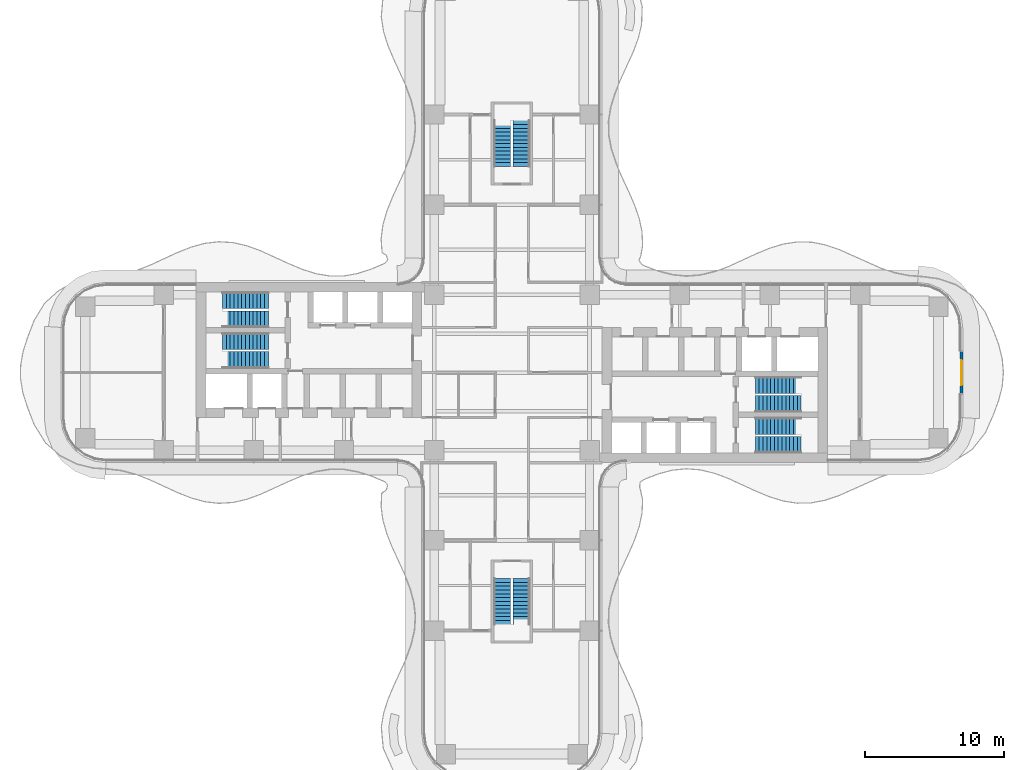
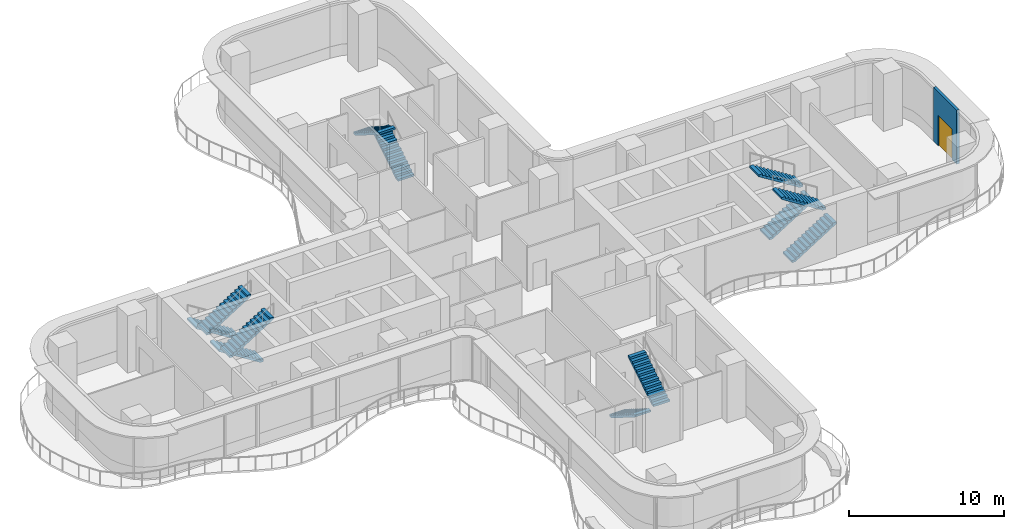
# One storey, part 20 of 22: 12 stair flights, 1 door, 1 wall, 1 opening, 6 elements without a shape of their own.
"""IFC4 building model written with IfcOpenShell, lengths in metres."""

from ifc_helpers import new_model, si_unit, direction, frame, frame_2d, origin, place, context, subcontext, project, spatial, polyline, rectangle, outline, extrude, source, transform, mapped, material, layer, layer_set, type_object, element, fill, aggregate, save


model = new_model("IFC4")

# Units and contexts
model_context = context("Model", 3, precision=1e-05, world=origin(), true_north=direction((0.0, 1.0)))
body_context = subcontext(model_context, "Body", "Model", "MODEL_VIEW")
ifc_project = project(units=[si_unit("LENGTHUNIT", "METRE"), si_unit("AREAUNIT", "SQUARE_METRE"), si_unit("VOLUMEUNIT", "CUBIC_METRE"), si_unit("PLANEANGLEUNIT", "RADIAN"), si_unit("MASSUNIT", "GRAM", prefix="KILO")], contexts=[model_context])

# Site, building, storey
site_placement = place(None, origin())
site = spatial("IfcSite", under=ifc_project, at=site_placement, CompositionType="ELEMENT")
building_placement = place(site_placement, origin())
building = spatial("IfcBuilding", under=site, at=building_placement, Name="Trellis Farm Tower", CompositionType="ELEMENT")
storey_placement = place(building_placement, frame((0.0, 0.0, 43.0)))
storey = spatial("IfcBuildingStorey", under=building, at=storey_placement, Name="L08", CompositionType="ELEMENT", Elevation=43.0)

# Wall, opening, door
ifc_material_1 = material(Name="Sandstone faced insulated wall", Category="masonry")
ifc_layer = layer(ifc_material_1, 0.199951171875)
ifc_layer_set = layer_set([ifc_layer], Name="EXTERNAL INFILL WALL 200")
wall_type = type_object("IfcWallType", Name="EXTERNAL INFILL WALL 200", PredefinedType="SOLIDWALL", material=ifc_layer_set)
shared_shape_1 = source(origin(), body_context, "Body", "SweptSolid", [
    extrude(rectangle(XDim=3.0, YDim=0.199951171875, at=frame_2d((1.5, 0.0))), origin(), (0.0, 0.0, 1.0), 4.25),
])
wall_placement = place(storey_placement, frame((32.39990234375, -1.5, 0.0), z_axis=(0.0, 0.0, 1.0), x_axis=(0.0, 1.0, 0.0)))
wall = element("IfcWall", 1, at=wall_placement, inside=storey, type_object=wall_type, Name="EW1 01", PredefinedType="SOLIDWALL", context=body_context, shape_type="MappedRepresentation", body=[
    mapped(shared_shape_1, transform((0.0, 0.0, 0.0))),
])
shared_shape_2 = source(origin(), body_context, "Body", "SweptSolid", [
    extrude(rectangle(XDim=1.800048828125, YDim=2.39990234375, at=frame_2d((0.89990234375, 1.199951171875))), frame((0.0, 0.110107421875, 0.0), z_axis=(0.0, -1.0, 0.0), x_axis=(1.0, 0.0, 0.0)), (0.0, 0.0, 1.0), 0.22021484375),
])
opening_placement = place(wall_placement, frame((0.60009765625, 0.0, 0.0)))
opening = element("IfcOpeningElement", 2, at=opening_placement, cuts=wall, Name="Opening ED1", PredefinedType="OPENING", context=body_context, shape_type="MappedRepresentation", body=[
    mapped(shared_shape_2, transform((0.0, 0.0, 0.0))),
])
ifc_material_2 = material(Name="Aluminium framed glazed door", Category="aluminium")
door_type = type_object("IfcDoorType", Name="BALCONY DOOR 1800x2400", OperationType="DOUBLE_DOOR_SINGLE_SWING", PredefinedType="DOOR", material=ifc_material_2)
shared_shape_3 = source(origin(), body_context, "Body", "SweptSolid", [
    extrude(rectangle(XDim=1.800048828125, YDim=2.39990234375, at=frame_2d((0.89990234375, 1.199951171875))), frame((0.0, 0.02490234375, 0.0), z_axis=(0.0, -1.0, 0.0), x_axis=(1.0, 0.0, 0.0)), (0.0, 0.0, 1.0), 0.050048828125),
])
door_placement = place(opening_placement, origin())
door = element("IfcDoor", 3, at=door_placement, inside=storey, type_object=door_type, Name="Balcony door", OperationType="DOUBLE_DOOR_SINGLE_SWING", OverallHeight=2.39990234375, OverallWidth=1.800048828125, PredefinedType="DOOR", context=body_context, shape_type="MappedRepresentation", body=[
    mapped(shared_shape_3, transform((0.0, 0.0, 0.0))),
])
fill(opening, door)

# Stair, stair flights
ifc_material_3 = material(Name="Concrete C50/60", Category="concrete")
stair_type = type_object("IfcStairType", Name="CORE EXIT STAIR 26 RISERS 173 MM", PredefinedType="HALF_TURN_STAIR", material=ifc_material_3)
placement = place(storey_placement, origin())
stair_1 = element("IfcStair", 4, at=placement, inside=storey, type_object=stair_type, Name="Exit stair N", PredefinedType="HALF_TURN_STAIR")
stair_flight_type = type_object("IfcStairFlightType", Name="STAIR FLIGHT 13 RISERS 173 MM", PredefinedType="STRAIGHT", material=ifc_material_3)
shared_shape_4 = source(origin(), body_context, "Body", "SweptSolid", [
    extrude(outline(polyline([(0.0, 0.0), (0.0, 0.173095703125), (0.27490234375, 0.173095703125), (0.27490234375, 0.34619140625), (0.550048828125, 0.34619140625), (0.550048828125, 0.519287109375), (0.824951171875, 0.519287109375), (0.824951171875, 0.6923828125), (1.10009765625, 0.6923828125), (1.10009765625, 0.865478515625), (1.375, 0.865478515625), (1.375, 1.03857421875), (1.64990234375, 1.03857421875), (1.64990234375, 1.21142578125), (1.925048828125, 1.21142578125), (1.925048828125, 1.384521484375), (2.199951171875, 1.384521484375), (2.199951171875, 1.5576171875), (2.47509765625, 1.5576171875), (2.47509765625, 1.730712890625), (2.75, 1.730712890625), (2.75, 1.90380859375), (3.02490234375, 1.90380859375), (3.02490234375, 2.076904296875), (3.300048828125, 2.076904296875), (3.300048828125, 2.25), (3.300048828125, 1.92333984375), (0.243896484375, 0.0), (0.0, 0.0)])), frame((0.0, 0.60009765625, 0.0), z_axis=(0.0, -1.0, 0.0), x_axis=(1.0, 0.0, 0.0)), (0.0, 0.0, 1.0), 1.199951171875),
])
stair_flight_1_placement = place(storey_placement, frame((0.699951171875, 14.85009765625, 0.0), z_axis=(0.0, 0.0, 1.0), x_axis=(0.0, 1.0, 0.0)))
stair_flight_1 = element("IfcStairFlight", 5, at=stair_flight_1_placement, type_object=stair_flight_type, Name="STN flight 1", NumberOfRisers=13, NumberOfTreads=12, PredefinedType="STRAIGHT", RiserHeight=0.173076923, TreadLength=0.275, context=body_context, shape_type="MappedRepresentation", body=[
    mapped(shared_shape_4, transform((0.0, 0.0, 0.0))),
])
stair_flight_2_placement = place(storey_placement, frame((-0.699951171875, 18.14990234375, 2.25), z_axis=(0.0, 0.0, 1.0), x_axis=(0.0, -1.0, 0.0)))
stair_flight_2 = element("IfcStairFlight", 6, at=stair_flight_2_placement, type_object=stair_flight_type, Name="STN flight 2", NumberOfRisers=13, NumberOfTreads=12, PredefinedType="STRAIGHT", RiserHeight=0.173076923, TreadLength=0.275, context=body_context, shape_type="MappedRepresentation", body=[
    mapped(shared_shape_4, transform((0.0, 0.0, 0.0))),
])
aggregate(stair_1, [stair_flight_1, stair_flight_2])

stair_2 = element("IfcStair", 7, at=placement, inside=storey, type_object=stair_type, Name="Exit stair S", PredefinedType="HALF_TURN_STAIR")
stair_flight_3_placement = place(storey_placement, frame((-0.699951171875, -14.85009765625, 0.0), z_axis=(0.0, 0.0, 1.0), x_axis=(0.0, -1.0, 0.0)))
stair_flight_3 = element("IfcStairFlight", 8, at=stair_flight_3_placement, type_object=stair_flight_type, Name="STS flight 1", NumberOfRisers=13, NumberOfTreads=12, PredefinedType="STRAIGHT", RiserHeight=0.173076923, TreadLength=0.275, context=body_context, shape_type="MappedRepresentation", body=[
    mapped(shared_shape_4, transform((0.0, 0.0, 0.0))),
])
stair_flight_4_placement = place(storey_placement, frame((0.699951171875, -18.14990234375, 2.25), z_axis=(0.0, 0.0, 1.0), x_axis=(0.0, 1.0, 0.0)))
stair_flight_4 = element("IfcStairFlight", 9, at=stair_flight_4_placement, type_object=stair_flight_type, Name="STS flight 2", NumberOfRisers=13, NumberOfTreads=12, PredefinedType="STRAIGHT", RiserHeight=0.173076923, TreadLength=0.275, context=body_context, shape_type="MappedRepresentation", body=[
    mapped(shared_shape_4, transform((0.0, 0.0, 0.0))),
])
aggregate(stair_2, [stair_flight_3, stair_flight_4])

stair_3 = element("IfcStair", 10, at=placement, inside=storey, type_object=stair_type, Name="Exit stair E1", PredefinedType="HALF_TURN_STAIR")
stair_flight_5_placement = place(storey_placement, frame((17.550048828125, -5.199951171875, 0.0), z_axis=(0.0, 0.0, 1.0), x_axis=(1.0, 0.0, 0.0)))
stair_flight_5 = element("IfcStairFlight", 11, at=stair_flight_5_placement, type_object=stair_flight_type, Name="STE1 flight 1", NumberOfRisers=13, NumberOfTreads=12, PredefinedType="STRAIGHT", RiserHeight=0.173076923, TreadLength=0.275, context=body_context, shape_type="MappedRepresentation", body=[
    mapped(shared_shape_4, transform((0.0, 0.0, 0.0))),
])
stair_flight_6_placement = place(storey_placement, frame((20.85009765625, -3.85009765625, 2.25), z_axis=(0.0, 0.0, 1.0), x_axis=(-1.0, 0.0, 0.0)))
stair_flight_6 = element("IfcStairFlight", 12, at=stair_flight_6_placement, type_object=stair_flight_type, Name="STE1 flight 2", NumberOfRisers=13, NumberOfTreads=12, PredefinedType="STRAIGHT", RiserHeight=0.173076923, TreadLength=0.275, context=body_context, shape_type="MappedRepresentation", body=[
    mapped(shared_shape_4, transform((0.0, 0.0, 0.0))),
])
aggregate(stair_3, [stair_flight_5, stair_flight_6])

stair_4 = element("IfcStair", 13, at=placement, inside=storey, type_object=stair_type, Name="Exit stair E2", PredefinedType="HALF_TURN_STAIR")
stair_flight_7_placement = place(storey_placement, frame((17.550048828125, -2.25, 0.0), z_axis=(0.0, 0.0, 1.0), x_axis=(1.0, 0.0, 0.0)))
stair_flight_7 = element("IfcStairFlight", 14, at=stair_flight_7_placement, type_object=stair_flight_type, Name="STE2 flight 1", NumberOfRisers=13, NumberOfTreads=12, PredefinedType="STRAIGHT", RiserHeight=0.173076923, TreadLength=0.275, context=body_context, shape_type="MappedRepresentation", body=[
    mapped(shared_shape_4, transform((0.0, 0.0, 0.0))),
])
stair_flight_8_placement = place(storey_placement, frame((20.85009765625, -0.89990234375, 2.25), z_axis=(0.0, 0.0, 1.0), x_axis=(-1.0, 0.0, 0.0)))
stair_flight_8 = element("IfcStairFlight", 15, at=stair_flight_8_placement, type_object=stair_flight_type, Name="STE2 flight 2", NumberOfRisers=13, NumberOfTreads=12, PredefinedType="STRAIGHT", RiserHeight=0.173076923, TreadLength=0.275, context=body_context, shape_type="MappedRepresentation", body=[
    mapped(shared_shape_4, transform((0.0, 0.0, 0.0))),
])
aggregate(stair_4, [stair_flight_7, stair_flight_8])

stair_5 = element("IfcStair", 16, at=placement, inside=storey, type_object=stair_type, Name="Exit stair W1", PredefinedType="HALF_TURN_STAIR")
stair_flight_9_placement = place(storey_placement, frame((-17.550048828125, 5.199951171875, 0.0), z_axis=(0.0, 0.0, 1.0), x_axis=(-1.0, 0.0, 0.0)))
stair_flight_9 = element("IfcStairFlight", 17, at=stair_flight_9_placement, type_object=stair_flight_type, Name="STW1 flight 1", NumberOfRisers=13, NumberOfTreads=12, PredefinedType="STRAIGHT", RiserHeight=0.173076923, TreadLength=0.275, context=body_context, shape_type="MappedRepresentation", body=[
    mapped(shared_shape_4, transform((0.0, 0.0, 0.0))),
])
stair_flight_10_placement = place(storey_placement, frame((-20.85009765625, 3.85009765625, 2.25), z_axis=(0.0, 0.0, 1.0), x_axis=(1.0, 0.0, 0.0)))
stair_flight_10 = element("IfcStairFlight", 18, at=stair_flight_10_placement, type_object=stair_flight_type, Name="STW1 flight 2", NumberOfRisers=13, NumberOfTreads=12, PredefinedType="STRAIGHT", RiserHeight=0.173076923, TreadLength=0.275, context=body_context, shape_type="MappedRepresentation", body=[
    mapped(shared_shape_4, transform((0.0, 0.0, 0.0))),
])
aggregate(stair_5, [stair_flight_9, stair_flight_10])

stair_6 = element("IfcStair", 19, at=placement, inside=storey, type_object=stair_type, Name="Exit stair W2", PredefinedType="HALF_TURN_STAIR")
stair_flight_11_placement = place(storey_placement, frame((-17.550048828125, 2.25, 0.0), z_axis=(0.0, 0.0, 1.0), x_axis=(-1.0, 0.0, 0.0)))
stair_flight_11 = element("IfcStairFlight", 20, at=stair_flight_11_placement, type_object=stair_flight_type, Name="STW2 flight 1", NumberOfRisers=13, NumberOfTreads=12, PredefinedType="STRAIGHT", RiserHeight=0.173076923, TreadLength=0.275, context=body_context, shape_type="MappedRepresentation", body=[
    mapped(shared_shape_4, transform((0.0, 0.0, 0.0))),
])
stair_flight_12_placement = place(storey_placement, frame((-20.85009765625, 0.89990234375, 2.25), z_axis=(0.0, 0.0, 1.0), x_axis=(1.0, 0.0, 0.0)))
stair_flight_12 = element("IfcStairFlight", 21, at=stair_flight_12_placement, type_object=stair_flight_type, Name="STW2 flight 2", NumberOfRisers=13, NumberOfTreads=12, PredefinedType="STRAIGHT", RiserHeight=0.173076923, TreadLength=0.275, context=body_context, shape_type="MappedRepresentation", body=[
    mapped(shared_shape_4, transform((0.0, 0.0, 0.0))),
])
aggregate(stair_6, [stair_flight_11, stair_flight_12])

save(model, "model.ifc")
